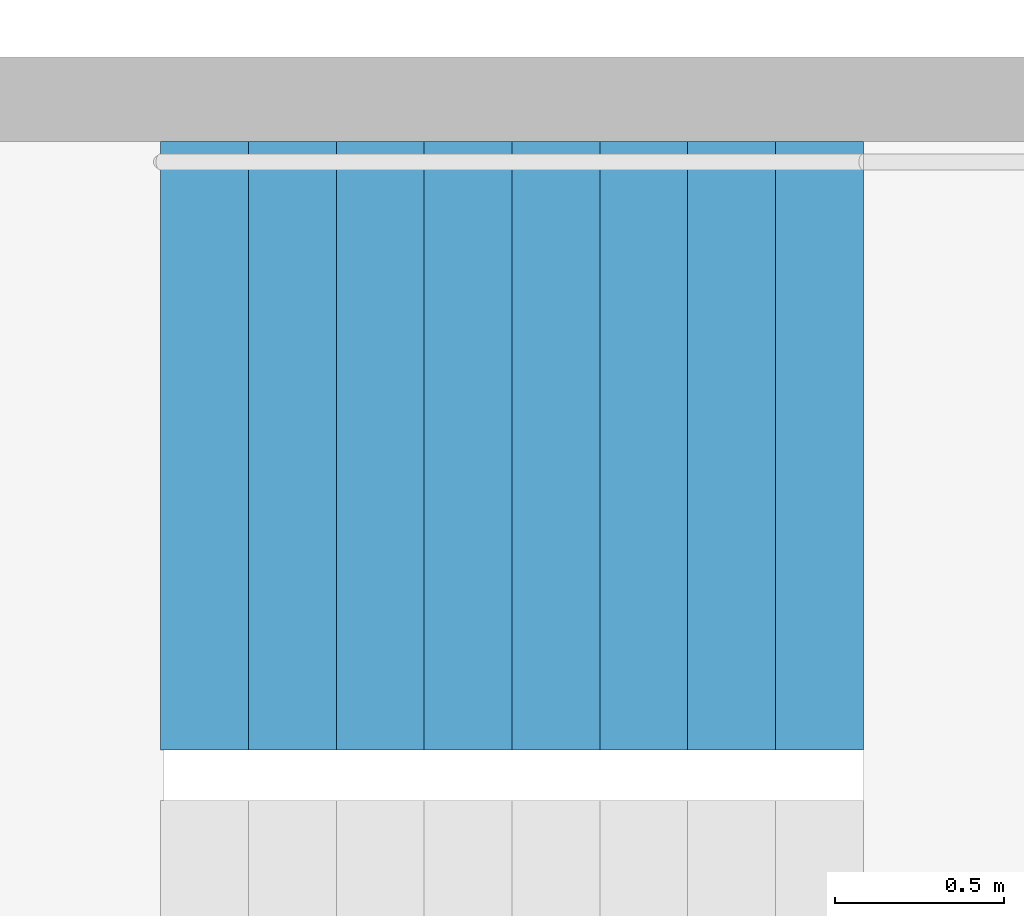
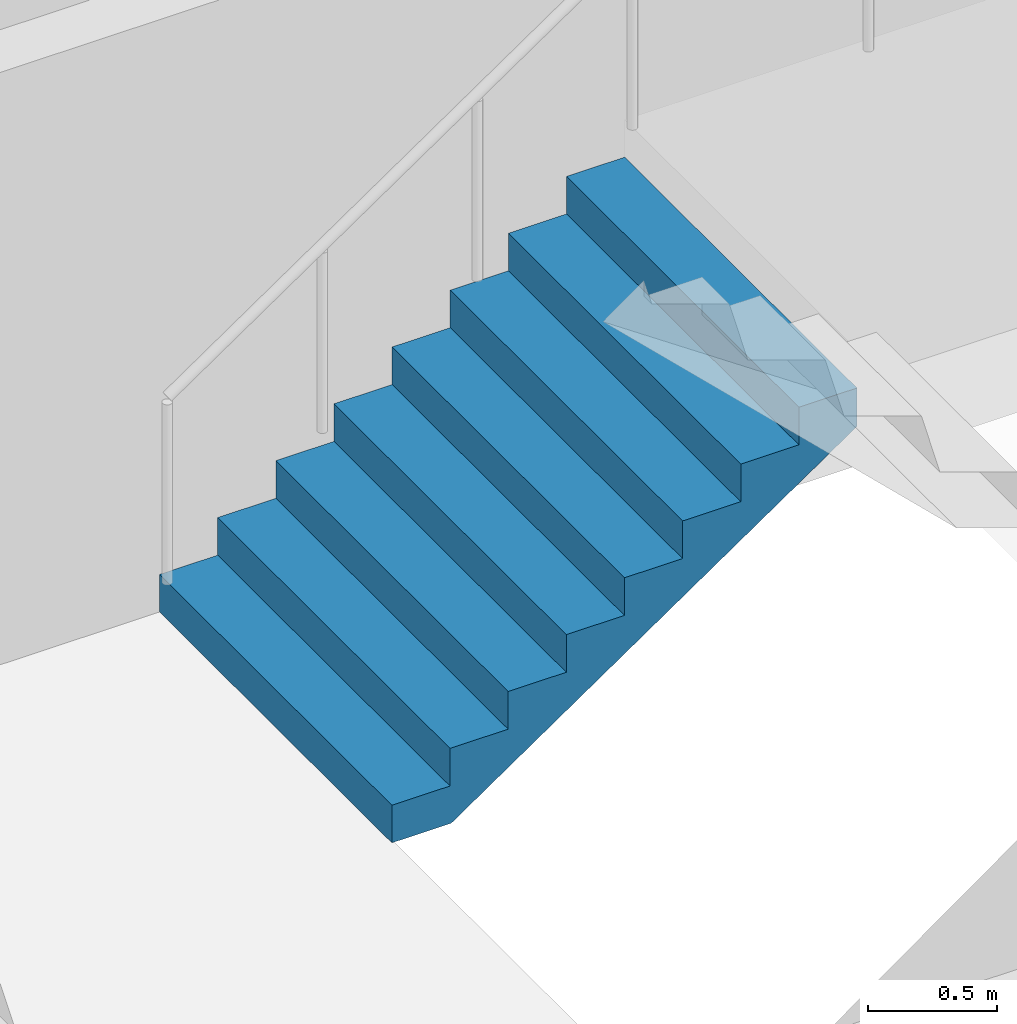
# One storey, part 26 of 29: 1 stair flight, 1 element without a shape of its own.
"""IFC4 building model written with IfcOpenShell, lengths in metres."""

from ifc_helpers import new_model, si_unit, direction, frame, origin, place, context, subcontext, project, spatial, triangles, material, type_object, element, aggregate, save


model = new_model("IFC4")

# Units and contexts
model_context = context("Model", 3, precision=1e-05, world=origin(), true_north=direction((0.0, 1.0)))
body_context = subcontext(model_context, "Body", "Model", "MODEL_VIEW")
ifc_project = project(units=[si_unit("LENGTHUNIT", "METRE"), si_unit("AREAUNIT", "SQUARE_METRE"), si_unit("VOLUMEUNIT", "CUBIC_METRE"), si_unit("PLANEANGLEUNIT", "RADIAN"), si_unit("MASSUNIT", "GRAM", prefix="KILO")], contexts=[model_context])

# Site, building, storey
site_placement = place(None, origin())
site = spatial("IfcSite", under=ifc_project, at=site_placement, CompositionType="ELEMENT")
building_placement = place(site_placement, origin())
building = spatial("IfcBuilding", under=site, at=building_placement, Name="Hakoniwa Tower and Hamabe Station Hall", CompositionType="ELEMENT")
storey_placement = place(building_placement, frame((0.0, 0.0, 29.39990234375)))
storey = spatial("IfcBuildingStorey", under=building, at=storey_placement, Name="L07", CompositionType="ELEMENT", Elevation=29.39990234375)

# Stair, stair flight
ifc_material_1 = material(Name="Concrete C40", Category="concrete")
stair_type = type_object("IfcStairType", Name="ESCAPE STAIR 1800", PredefinedType="HALF_TURN_STAIR", material=ifc_material_1)
stair_placement = place(storey_placement, origin())
stair = element("IfcStair", 1, at=stair_placement, inside=storey, type_object=stair_type, Name="Escape stair ST-4 L07", PredefinedType="HALF_TURN_STAIR")
ifc_material_2 = material(Name="Concrete C40", Category="concrete")
stair_flight_type = type_object("IfcStairFlightType", Name="STAIR FLIGHT 1800", PredefinedType="STRAIGHT", material=ifc_material_2)
stair_flight_placement = place(storey_placement, frame((23.39990234375, -4.64990234375, 0.0), z_axis=(0.0, 0.0, 1.0), x_axis=(1.0, 0.0, 0.0)))
stair_flight = element("IfcStairFlight", 2, at=stair_flight_placement, type_object=stair_flight_type, Name="ST-4 flight 1", NumberOfRisers=9, NumberOfTreads=8, PredefinedType="STRAIGHT", RiserHeight=0.177777778, TreadLength=0.26, context=body_context, shape_type="Tessellation", body=[
    triangles([(0.0, 0.89990234375, 0.0), (0.260009765625, 0.89990234375, 0.0), (0.265625, 0.89990234375, 0.0), (0.52001953125, 0.89990234375, 0.174072265625), (0.780029296875, 0.89990234375, 0.351806640625), (1.0400390625, 0.89990234375, 0.529541015625), (1.300048828125, 0.89990234375, 0.707275390625), (1.56005859375, 0.89990234375, 0.885009765625), (1.820068359375, 0.89990234375, 1.062744140625), (2.080078125, 0.89990234375, 1.24072265625), (2.080078125, 0.89990234375, 1.422119140625), (1.820068359375, 0.89990234375, 1.422119140625), (1.820068359375, 0.89990234375, 1.244384765625), (1.56005859375, 0.89990234375, 1.244384765625), (1.56005859375, 0.89990234375, 1.066650390625), (1.300048828125, 0.89990234375, 1.066650390625), (1.300048828125, 0.89990234375, 0.888916015625), (1.0400390625, 0.89990234375, 0.888916015625), (1.0400390625, 0.89990234375, 0.711181640625), (0.780029296875, 0.89990234375, 0.711181640625), (0.780029296875, 0.89990234375, 0.533447265625), (0.52001953125, 0.89990234375, 0.533447265625), (0.52001953125, 0.89990234375, 0.35546875), (0.265625, 0.89990234375, 0.35546875), (0.260009765625, 0.89990234375, 0.35546875), (0.260009765625, 0.89990234375, 0.177734375), (0.0, 0.89990234375, 0.177734375), (0.0, 0.06005859375, 0.0), (0.260009765625, 0.06005859375, 0.0), (0.265625, 0.06005859375, 0.0), (0.52001953125, 0.06005859375, 0.174072265625), (0.780029296875, 0.06005859375, 0.351806640625), (1.0400390625, 0.06005859375, 0.529541015625), (1.300048828125, 0.06005859375, 0.707275390625), (1.56005859375, 0.06005859375, 0.885009765625), (1.820068359375, 0.06005859375, 1.062744140625), (2.080078125, 0.06005859375, 1.24072265625), (2.080078125, 0.06005859375, 1.422119140625), (1.820068359375, 0.06005859375, 1.422119140625), (1.820068359375, 0.06005859375, 1.244384765625), (1.56005859375, 0.06005859375, 1.244384765625), (1.56005859375, 0.06005859375, 1.066650390625), (1.300048828125, 0.06005859375, 1.066650390625), (1.300048828125, 0.06005859375, 0.888916015625), (1.0400390625, 0.06005859375, 0.888916015625), (1.0400390625, 0.06005859375, 0.711181640625), (0.780029296875, 0.06005859375, 0.711181640625), (0.780029296875, 0.06005859375, 0.533447265625), (0.52001953125, 0.06005859375, 0.533447265625), (0.52001953125, 0.06005859375, 0.35546875), (0.265625, 0.06005859375, 0.35546875), (0.260009765625, 0.06005859375, 0.35546875), (0.260009765625, 0.06005859375, 0.177734375), (0.0, 0.06005859375, 0.177734375), (0.0, 0.04296875, 0.0), (0.260009765625, 0.04296875, 0.0), (0.265625, 0.04296875, 0.0), (0.52001953125, 0.04296875, 0.174072265625), (0.780029296875, 0.04296875, 0.351806640625), (1.0400390625, 0.04296875, 0.529541015625), (1.300048828125, 0.04296875, 0.707275390625), (1.56005859375, 0.04296875, 0.885009765625), (1.820068359375, 0.04296875, 1.062744140625), (2.080078125, 0.04296875, 1.24072265625), (2.080078125, 0.04296875, 1.422119140625), (1.820068359375, 0.04296875, 1.422119140625), (1.820068359375, 0.04296875, 1.244384765625), (1.56005859375, 0.04296875, 1.244384765625), (1.56005859375, 0.04296875, 1.066650390625), (1.300048828125, 0.04296875, 1.066650390625), (1.300048828125, 0.04296875, 0.888916015625), (1.0400390625, 0.04296875, 0.888916015625), (1.0400390625, 0.04296875, 0.711181640625), (0.780029296875, 0.04296875, 0.711181640625), (0.780029296875, 0.04296875, 0.533447265625), (0.52001953125, 0.04296875, 0.533447265625), (0.52001953125, 0.04296875, 0.35546875), (0.265625, 0.04296875, 0.35546875), (0.260009765625, 0.04296875, 0.35546875), (0.260009765625, 0.04296875, 0.177734375), (0.0, 0.04296875, 0.177734375), (0.0, 0.025634765625, 0.0), (0.260009765625, 0.025634765625, 0.0), (0.265625, 0.025634765625, 0.0), (0.52001953125, 0.025634765625, 0.174072265625), (0.780029296875, 0.025634765625, 0.351806640625), (1.0400390625, 0.025634765625, 0.529541015625), (1.300048828125, 0.025634765625, 0.707275390625), (1.56005859375, 0.025634765625, 0.885009765625), (1.820068359375, 0.025634765625, 1.062744140625), (2.080078125, 0.025634765625, 1.24072265625), (2.080078125, 0.025634765625, 1.422119140625), (1.820068359375, 0.025634765625, 1.422119140625), (1.820068359375, 0.025634765625, 1.244384765625), (1.56005859375, 0.025634765625, 1.244384765625), (1.56005859375, 0.025634765625, 1.066650390625), (1.300048828125, 0.025634765625, 1.066650390625), (1.300048828125, 0.025634765625, 0.888916015625), (1.0400390625, 0.025634765625, 0.888916015625), (1.0400390625, 0.025634765625, 0.711181640625), (0.780029296875, 0.025634765625, 0.711181640625), (0.780029296875, 0.025634765625, 0.533447265625), (0.52001953125, 0.025634765625, 0.533447265625), (0.52001953125, 0.025634765625, 0.35546875), (0.265625, 0.025634765625, 0.35546875), (0.260009765625, 0.025634765625, 0.35546875), (0.260009765625, 0.025634765625, 0.177734375), (0.0, 0.025634765625, 0.177734375), (0.0, 0.008544921875, 0.0), (0.260009765625, 0.008544921875, 0.0), (0.265625, 0.008544921875, 0.0), (0.52001953125, 0.008544921875, 0.174072265625), (0.780029296875, 0.008544921875, 0.351806640625), (1.0400390625, 0.008544921875, 0.529541015625), (1.300048828125, 0.008544921875, 0.707275390625), (1.56005859375, 0.008544921875, 0.885009765625), (1.820068359375, 0.008544921875, 1.062744140625), (2.080078125, 0.008544921875, 1.24072265625), (2.080078125, 0.008544921875, 1.422119140625), (1.820068359375, 0.008544921875, 1.422119140625), (1.820068359375, 0.008544921875, 1.244384765625), (1.56005859375, 0.008544921875, 1.244384765625), (1.56005859375, 0.008544921875, 1.066650390625), (1.300048828125, 0.008544921875, 1.066650390625), (1.300048828125, 0.008544921875, 0.888916015625), (1.0400390625, 0.008544921875, 0.888916015625), (1.0400390625, 0.008544921875, 0.711181640625), (0.780029296875, 0.008544921875, 0.711181640625), (0.780029296875, 0.008544921875, 0.533447265625), (0.52001953125, 0.008544921875, 0.533447265625), (0.52001953125, 0.008544921875, 0.35546875), (0.265625, 0.008544921875, 0.35546875), (0.260009765625, 0.008544921875, 0.35546875), (0.260009765625, 0.008544921875, 0.177734375), (0.0, 0.008544921875, 0.177734375), (0.0, -0.008544921875, 0.0), (0.260009765625, -0.008544921875, 0.0), (0.265625, -0.008544921875, 0.0), (0.52001953125, -0.008544921875, 0.174072265625), (0.780029296875, -0.008544921875, 0.351806640625), (1.0400390625, -0.008544921875, 0.529541015625), (1.300048828125, -0.008544921875, 0.707275390625), (1.56005859375, -0.008544921875, 0.885009765625), (1.820068359375, -0.008544921875, 1.062744140625), (2.080078125, -0.008544921875, 1.24072265625), (2.080078125, -0.008544921875, 1.422119140625), (1.820068359375, -0.008544921875, 1.422119140625), (1.820068359375, -0.008544921875, 1.244384765625), (1.56005859375, -0.008544921875, 1.244384765625), (1.56005859375, -0.008544921875, 1.066650390625), (1.300048828125, -0.008544921875, 1.066650390625), (1.300048828125, -0.008544921875, 0.888916015625), (1.0400390625, -0.008544921875, 0.888916015625), (1.0400390625, -0.008544921875, 0.711181640625), (0.780029296875, -0.008544921875, 0.711181640625), (0.780029296875, -0.008544921875, 0.533447265625), (0.52001953125, -0.008544921875, 0.533447265625), (0.52001953125, -0.008544921875, 0.35546875), (0.265625, -0.008544921875, 0.35546875), (0.260009765625, -0.008544921875, 0.35546875), (0.260009765625, -0.008544921875, 0.177734375), (0.0, -0.008544921875, 0.177734375), (0.0, -0.025634765625, 0.0), (0.260009765625, -0.025634765625, 0.0), (0.265625, -0.025634765625, 0.0), (0.52001953125, -0.025634765625, 0.174072265625), (0.780029296875, -0.025634765625, 0.351806640625), (1.0400390625, -0.025634765625, 0.529541015625), (1.300048828125, -0.025634765625, 0.707275390625), (1.56005859375, -0.025634765625, 0.885009765625), (1.820068359375, -0.025634765625, 1.062744140625), (2.080078125, -0.025634765625, 1.24072265625), (2.080078125, -0.025634765625, 1.422119140625), (1.820068359375, -0.025634765625, 1.422119140625), (1.820068359375, -0.025634765625, 1.244384765625), (1.56005859375, -0.025634765625, 1.244384765625), (1.56005859375, -0.025634765625, 1.066650390625), (1.300048828125, -0.025634765625, 1.066650390625), (1.300048828125, -0.025634765625, 0.888916015625), (1.0400390625, -0.025634765625, 0.888916015625), (1.0400390625, -0.025634765625, 0.711181640625), (0.780029296875, -0.025634765625, 0.711181640625), (0.780029296875, -0.025634765625, 0.533447265625), (0.52001953125, -0.025634765625, 0.533447265625), (0.52001953125, -0.025634765625, 0.35546875), (0.265625, -0.025634765625, 0.35546875), (0.260009765625, -0.025634765625, 0.35546875), (0.260009765625, -0.025634765625, 0.177734375), (0.0, -0.025634765625, 0.177734375), (0.0, -0.04296875, 0.0), (0.260009765625, -0.04296875, 0.0), (0.265625, -0.04296875, 0.0), (0.52001953125, -0.04296875, 0.174072265625), (0.780029296875, -0.04296875, 0.351806640625), (1.0400390625, -0.04296875, 0.529541015625), (1.300048828125, -0.04296875, 0.707275390625), (1.56005859375, -0.04296875, 0.885009765625), (1.820068359375, -0.04296875, 1.062744140625), (2.080078125, -0.04296875, 1.24072265625), (2.080078125, -0.04296875, 1.422119140625), (1.820068359375, -0.04296875, 1.422119140625), (1.820068359375, -0.04296875, 1.244384765625), (1.56005859375, -0.04296875, 1.244384765625), (1.56005859375, -0.04296875, 1.066650390625), (1.300048828125, -0.04296875, 1.066650390625), (1.300048828125, -0.04296875, 0.888916015625), (1.0400390625, -0.04296875, 0.888916015625), (1.0400390625, -0.04296875, 0.711181640625), (0.780029296875, -0.04296875, 0.711181640625), (0.780029296875, -0.04296875, 0.533447265625), (0.52001953125, -0.04296875, 0.533447265625), (0.52001953125, -0.04296875, 0.35546875), (0.265625, -0.04296875, 0.35546875), (0.260009765625, -0.04296875, 0.35546875), (0.260009765625, -0.04296875, 0.177734375), (0.0, -0.04296875, 0.177734375), (0.0, -0.06005859375, 0.0), (0.260009765625, -0.06005859375, 0.0), (0.265625, -0.06005859375, 0.0), (0.52001953125, -0.06005859375, 0.174072265625), (0.780029296875, -0.06005859375, 0.351806640625), (1.0400390625, -0.06005859375, 0.529541015625), (1.300048828125, -0.06005859375, 0.707275390625), (1.56005859375, -0.06005859375, 0.885009765625), (1.820068359375, -0.06005859375, 1.062744140625), (2.080078125, -0.06005859375, 1.24072265625), (2.080078125, -0.06005859375, 1.422119140625), (1.820068359375, -0.06005859375, 1.422119140625), (1.820068359375, -0.06005859375, 1.244384765625), (1.56005859375, -0.06005859375, 1.244384765625), (1.56005859375, -0.06005859375, 1.066650390625), (1.300048828125, -0.06005859375, 1.066650390625), (1.300048828125, -0.06005859375, 0.888916015625), (1.0400390625, -0.06005859375, 0.888916015625), (1.0400390625, -0.06005859375, 0.711181640625), (0.780029296875, -0.06005859375, 0.711181640625), (0.780029296875, -0.06005859375, 0.533447265625), (0.52001953125, -0.06005859375, 0.533447265625), (0.52001953125, -0.06005859375, 0.35546875), (0.265625, -0.06005859375, 0.35546875), (0.260009765625, -0.06005859375, 0.35546875), (0.260009765625, -0.06005859375, 0.177734375), (0.0, -0.06005859375, 0.177734375), (0.0, -0.89990234375, 0.0), (0.260009765625, -0.89990234375, 0.0), (0.265625, -0.89990234375, 0.0), (0.52001953125, -0.89990234375, 0.174072265625), (0.780029296875, -0.89990234375, 0.351806640625), (1.0400390625, -0.89990234375, 0.529541015625), (1.300048828125, -0.89990234375, 0.707275390625), (1.56005859375, -0.89990234375, 0.885009765625), (1.820068359375, -0.89990234375, 1.062744140625), (2.080078125, -0.89990234375, 1.24072265625), (2.080078125, -0.89990234375, 1.422119140625), (1.820068359375, -0.89990234375, 1.422119140625), (1.820068359375, -0.89990234375, 1.244384765625), (1.56005859375, -0.89990234375, 1.244384765625), (1.56005859375, -0.89990234375, 1.066650390625), (1.300048828125, -0.89990234375, 1.066650390625), (1.300048828125, -0.89990234375, 0.888916015625), (1.0400390625, -0.89990234375, 0.888916015625), (1.0400390625, -0.89990234375, 0.711181640625), (0.780029296875, -0.89990234375, 0.711181640625), (0.780029296875, -0.89990234375, 0.533447265625), (0.52001953125, -0.89990234375, 0.533447265625), (0.52001953125, -0.89990234375, 0.35546875), (0.265625, -0.89990234375, 0.35546875), (0.260009765625, -0.89990234375, 0.35546875), (0.260009765625, -0.89990234375, 0.177734375), (0.0, -0.89990234375, 0.177734375)], [[2, 27, 26], [245, 269, 270], [2, 1, 27], [245, 270, 244], [3, 25, 24], [246, 267, 268], [3, 26, 25], [246, 268, 269], [3, 2, 26], [246, 269, 245], [4, 24, 23], [247, 266, 267], [4, 3, 24], [247, 267, 246], [5, 22, 21], [248, 264, 265], [5, 23, 22], [248, 265, 266], [5, 4, 23], [248, 266, 247], [6, 20, 19], [249, 262, 263], [6, 21, 20], [249, 263, 264], [6, 5, 21], [249, 264, 248], [7, 18, 17], [250, 260, 261], [7, 19, 18], [250, 261, 262], [7, 6, 19], [250, 262, 249], [8, 16, 15], [251, 258, 259], [8, 17, 16], [251, 259, 260], [8, 7, 17], [251, 260, 250], [9, 14, 13], [252, 256, 257], [9, 15, 14], [252, 257, 258], [9, 8, 15], [252, 258, 251], [10, 12, 11], [253, 254, 255], [10, 13, 12], [253, 255, 256], [10, 9, 13], [253, 256, 252], [1, 2, 29], [1, 29, 28], [28, 29, 56], [28, 56, 55], [55, 56, 83], [55, 83, 82], [82, 83, 110], [82, 110, 109], [109, 110, 137], [109, 137, 136], [136, 137, 164], [136, 164, 163], [163, 164, 191], [163, 191, 190], [190, 191, 218], [190, 218, 217], [217, 218, 245], [217, 245, 244], [2, 3, 30], [2, 30, 29], [29, 30, 57], [29, 57, 56], [56, 57, 84], [56, 84, 83], [83, 84, 111], [83, 111, 110], [110, 111, 138], [110, 138, 137], [137, 138, 165], [137, 165, 164], [164, 165, 192], [164, 192, 191], [191, 192, 219], [191, 219, 218], [218, 219, 246], [218, 246, 245], [3, 4, 31], [3, 31, 30], [30, 31, 58], [30, 58, 57], [57, 58, 85], [57, 85, 84], [84, 85, 112], [84, 112, 111], [111, 112, 139], [111, 139, 138], [138, 139, 166], [138, 166, 165], [165, 166, 193], [165, 193, 192], [192, 193, 220], [192, 220, 219], [219, 220, 247], [219, 247, 246], [4, 5, 32], [4, 32, 31], [31, 32, 59], [31, 59, 58], [58, 59, 86], [58, 86, 85], [85, 86, 113], [85, 113, 112], [112, 113, 140], [112, 140, 139], [139, 140, 167], [139, 167, 166], [166, 167, 194], [166, 194, 193], [193, 194, 221], [193, 221, 220], [220, 221, 248], [220, 248, 247], [5, 6, 33], [5, 33, 32], [32, 33, 60], [32, 60, 59], [59, 60, 87], [59, 87, 86], [86, 87, 114], [86, 114, 113], [113, 114, 141], [113, 141, 140], [140, 141, 168], [140, 168, 167], [167, 168, 195], [167, 195, 194], [194, 195, 222], [194, 222, 221], [221, 222, 249], [221, 249, 248], [6, 7, 34], [6, 34, 33], [33, 34, 61], [33, 61, 60], [60, 61, 88], [60, 88, 87], [87, 88, 115], [87, 115, 114], [114, 115, 142], [114, 142, 141], [141, 142, 169], [141, 169, 168], [168, 169, 196], [168, 196, 195], [195, 196, 223], [195, 223, 222], [222, 223, 250], [222, 250, 249], [7, 8, 35], [7, 35, 34], [34, 35, 62], [34, 62, 61], [61, 62, 89], [61, 89, 88], [88, 89, 116], [88, 116, 115], [115, 116, 143], [115, 143, 142], [142, 143, 170], [142, 170, 169], [169, 170, 197], [169, 197, 196], [196, 197, 224], [196, 224, 223], [223, 224, 251], [223, 251, 250], [8, 9, 36], [8, 36, 35], [35, 36, 63], [35, 63, 62], [62, 63, 90], [62, 90, 89], [89, 90, 117], [89, 117, 116], [116, 117, 144], [116, 144, 143], [143, 144, 171], [143, 171, 170], [170, 171, 198], [170, 198, 197], [197, 198, 225], [197, 225, 224], [224, 225, 252], [224, 252, 251], [9, 10, 37], [9, 37, 36], [36, 37, 64], [36, 64, 63], [63, 64, 91], [63, 91, 90], [90, 91, 118], [90, 118, 117], [117, 118, 145], [117, 145, 144], [144, 145, 172], [144, 172, 171], [171, 172, 199], [171, 199, 198], [198, 199, 226], [198, 226, 225], [225, 226, 253], [225, 253, 252], [10, 11, 38], [10, 38, 37], [37, 38, 65], [37, 65, 64], [64, 65, 92], [64, 92, 91], [91, 92, 119], [91, 119, 118], [118, 119, 146], [118, 146, 145], [145, 146, 173], [145, 173, 172], [172, 173, 200], [172, 200, 199], [199, 200, 227], [199, 227, 226], [226, 227, 254], [226, 254, 253], [11, 12, 39], [11, 39, 38], [38, 39, 66], [38, 66, 65], [65, 66, 93], [65, 93, 92], [92, 93, 120], [92, 120, 119], [119, 120, 147], [119, 147, 146], [146, 147, 174], [146, 174, 173], [173, 174, 201], [173, 201, 200], [200, 201, 228], [200, 228, 227], [227, 228, 255], [227, 255, 254], [12, 13, 40], [12, 40, 39], [39, 40, 67], [39, 67, 66], [66, 67, 94], [66, 94, 93], [93, 94, 121], [93, 121, 120], [120, 121, 148], [120, 148, 147], [147, 148, 175], [147, 175, 174], [174, 175, 202], [174, 202, 201], [201, 202, 229], [201, 229, 228], [228, 229, 256], [228, 256, 255], [13, 14, 41], [13, 41, 40], [40, 41, 68], [40, 68, 67], [67, 68, 95], [67, 95, 94], [94, 95, 122], [94, 122, 121], [121, 122, 149], [121, 149, 148], [148, 149, 176], [148, 176, 175], [175, 176, 203], [175, 203, 202], [202, 203, 230], [202, 230, 229], [229, 230, 257], [229, 257, 256], [14, 15, 42], [14, 42, 41], [41, 42, 69], [41, 69, 68], [68, 69, 96], [68, 96, 95], [95, 96, 123], [95, 123, 122], [122, 123, 150], [122, 150, 149], [149, 150, 177], [149, 177, 176], [176, 177, 204], [176, 204, 203], [203, 204, 231], [203, 231, 230], [230, 231, 258], [230, 258, 257], [15, 16, 43], [15, 43, 42], [42, 43, 70], [42, 70, 69], [69, 70, 97], [69, 97, 96], [96, 97, 124], [96, 124, 123], [123, 124, 151], [123, 151, 150], [150, 151, 178], [150, 178, 177], [177, 178, 205], [177, 205, 204], [204, 205, 232], [204, 232, 231], [231, 232, 259], [231, 259, 258], [16, 17, 44], [16, 44, 43], [43, 44, 71], [43, 71, 70], [70, 71, 98], [70, 98, 97], [97, 98, 125], [97, 125, 124], [124, 125, 152], [124, 152, 151], [151, 152, 179], [151, 179, 178], [178, 179, 206], [178, 206, 205], [205, 206, 233], [205, 233, 232], [232, 233, 260], [232, 260, 259], [17, 18, 45], [17, 45, 44], [44, 45, 72], [44, 72, 71], [71, 72, 99], [71, 99, 98], [98, 99, 126], [98, 126, 125], [125, 126, 153], [125, 153, 152], [152, 153, 180], [152, 180, 179], [179, 180, 207], [179, 207, 206], [206, 207, 234], [206, 234, 233], [233, 234, 261], [233, 261, 260], [18, 19, 46], [18, 46, 45], [45, 46, 73], [45, 73, 72], [72, 73, 100], [72, 100, 99], [99, 100, 127], [99, 127, 126], [126, 127, 154], [126, 154, 153], [153, 154, 181], [153, 181, 180], [180, 181, 208], [180, 208, 207], [207, 208, 235], [207, 235, 234], [234, 235, 262], [234, 262, 261], [19, 20, 47], [19, 47, 46], [46, 47, 74], [46, 74, 73], [73, 74, 101], [73, 101, 100], [100, 101, 128], [100, 128, 127], [127, 128, 155], [127, 155, 154], [154, 155, 182], [154, 182, 181], [181, 182, 209], [181, 209, 208], [208, 209, 236], [208, 236, 235], [235, 236, 263], [235, 263, 262], [20, 21, 48], [20, 48, 47], [47, 48, 75], [47, 75, 74], [74, 75, 102], [74, 102, 101], [101, 102, 129], [101, 129, 128], [128, 129, 156], [128, 156, 155], [155, 156, 183], [155, 183, 182], [182, 183, 210], [182, 210, 209], [209, 210, 237], [209, 237, 236], [236, 237, 264], [236, 264, 263], [21, 22, 49], [21, 49, 48], [48, 49, 76], [48, 76, 75], [75, 76, 103], [75, 103, 102], [102, 103, 130], [102, 130, 129], [129, 130, 157], [129, 157, 156], [156, 157, 184], [156, 184, 183], [183, 184, 211], [183, 211, 210], [210, 211, 238], [210, 238, 237], [237, 238, 265], [237, 265, 264], [22, 23, 50], [22, 50, 49], [49, 50, 77], [49, 77, 76], [76, 77, 104], [76, 104, 103], [103, 104, 131], [103, 131, 130], [130, 131, 158], [130, 158, 157], [157, 158, 185], [157, 185, 184], [184, 185, 212], [184, 212, 211], [211, 212, 239], [211, 239, 238], [238, 239, 266], [238, 266, 265], [23, 24, 51], [23, 51, 50], [50, 51, 78], [50, 78, 77], [77, 78, 105], [77, 105, 104], [104, 105, 132], [104, 132, 131], [131, 132, 159], [131, 159, 158], [158, 159, 186], [158, 186, 185], [185, 186, 213], [185, 213, 212], [212, 213, 240], [212, 240, 239], [239, 240, 267], [239, 267, 266], [24, 25, 52], [24, 52, 51], [51, 52, 79], [51, 79, 78], [78, 79, 106], [78, 106, 105], [105, 106, 133], [105, 133, 132], [132, 133, 160], [132, 160, 159], [159, 160, 187], [159, 187, 186], [186, 187, 214], [186, 214, 213], [213, 214, 241], [213, 241, 240], [240, 241, 268], [240, 268, 267], [25, 26, 53], [25, 53, 52], [52, 53, 80], [52, 80, 79], [79, 80, 107], [79, 107, 106], [106, 107, 134], [106, 134, 133], [133, 134, 161], [133, 161, 160], [160, 161, 188], [160, 188, 187], [187, 188, 215], [187, 215, 214], [214, 215, 242], [214, 242, 241], [241, 242, 269], [241, 269, 268], [26, 27, 54], [26, 54, 53], [53, 54, 81], [53, 81, 80], [80, 81, 108], [80, 108, 107], [107, 108, 135], [107, 135, 134], [134, 135, 162], [134, 162, 161], [161, 162, 189], [161, 189, 188], [188, 189, 216], [188, 216, 215], [215, 216, 243], [215, 243, 242], [242, 243, 270], [242, 270, 269], [27, 1, 28], [27, 28, 54], [54, 28, 55], [54, 55, 81], [81, 55, 82], [81, 82, 108], [108, 82, 109], [108, 109, 135], [135, 109, 136], [135, 136, 162], [162, 136, 163], [162, 163, 189], [189, 163, 190], [189, 190, 216], [216, 190, 217], [216, 217, 243], [243, 217, 244], [243, 244, 270]], closed=True),
])
aggregate(stair, [stair_flight])

save(model, "model.ifc")
